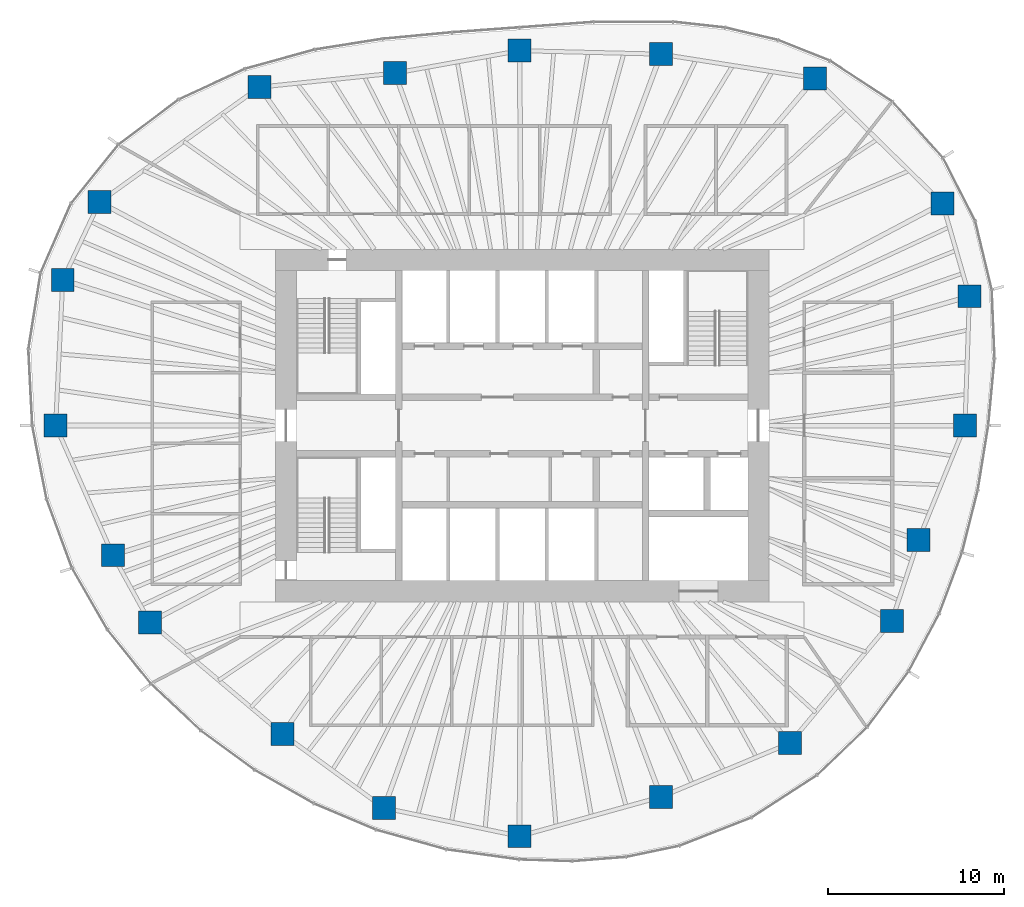
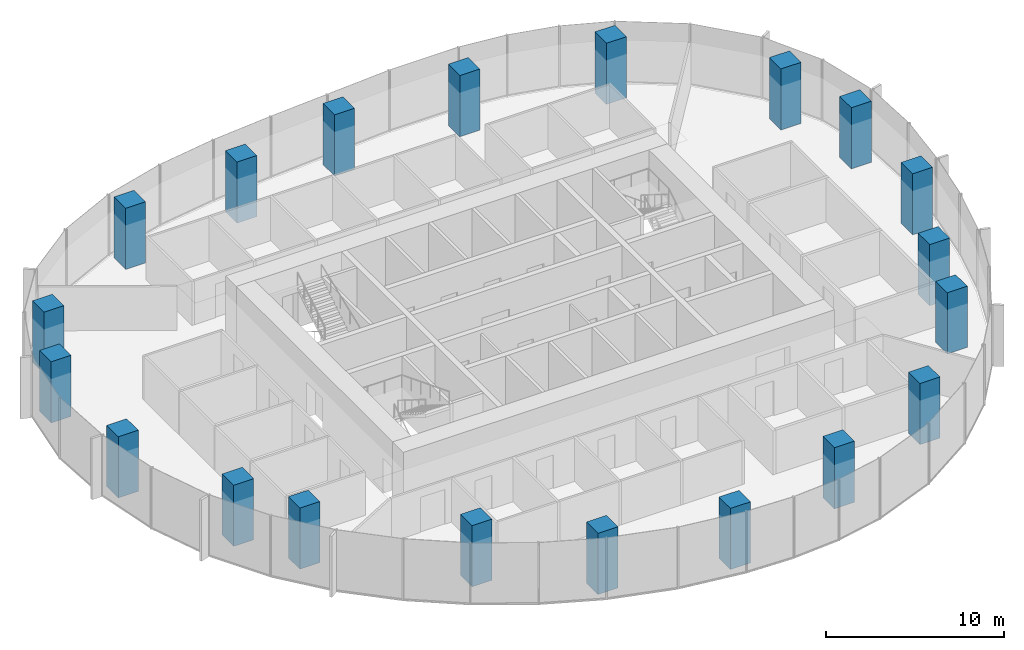
# One storey, part 1 of 12: 20 columns.
"""IFC4 building model written with IfcOpenShell, lengths in metres."""

from ifc_helpers import new_model, si_unit, direction, frame, origin, origin_2d, place, context, subcontext, project, spatial, rectangle, extrude, material, material_profile, profile_set, type_object, element, save


model = new_model("IFC4")

# Units and contexts
model_context = context("Model", 3, precision=1e-05, world=origin(), true_north=direction((0.0, 1.0)))
body_context = subcontext(model_context, "Body", "Model", "MODEL_VIEW")
ifc_project = project(units=[si_unit("LENGTHUNIT", "METRE"), si_unit("AREAUNIT", "SQUARE_METRE"), si_unit("VOLUMEUNIT", "CUBIC_METRE"), si_unit("PLANEANGLEUNIT", "RADIAN"), si_unit("MASSUNIT", "GRAM", prefix="KILO")], contexts=[model_context])

# Site, building, storey
site_placement = place(None, origin())
site = spatial("IfcSite", under=ifc_project, at=site_placement, CompositionType="ELEMENT")
building_placement = place(site_placement, origin())
building = spatial("IfcBuilding", under=site, at=building_placement, Name="Ghaith Harvest Tower", CompositionType="ELEMENT")
storey_placement = place(building_placement, frame((0.0, 0.0, 203.199951171875)))
storey = spatial("IfcBuildingStorey", under=building, at=storey_placement, Name="L44", CompositionType="ELEMENT", Elevation=203.199951171875)

# Columns
ifc_material = material(Name="Concrete C60/75", Category="concrete")
ifc_material_profile = material_profile(ifc_material, rectangle(XDim=1.300048828125, YDim=1.300048828125, at=origin_2d()), Name="RC1300X1300")
ifc_profile_set = profile_set([ifc_material_profile], Name="Concrete C60/75")
column_type = type_object("IfcColumnType", Name="TC5 RC1300X1300", PredefinedType="COLUMN", material=ifc_profile_set)
for number, where, z_axis, x_axis, name in (
    (1, (25.125, 0.0, 0.0), (0.0, 0.0, 1.0), (1.0, 0.0, 0.0), "Perimeter column C01"),
    (2, (25.3779296875, 7.3349609375, 0.0), (0.0, 0.0, 1.0), (1.0, 0.0, 0.0), "Perimeter column C02"),
    (3, (23.85205078125, 12.60693359375, 0.0), (0.0, 0.0, 1.0), (1.0, 0.0, 0.0), "Perimeter column C03"),
    (4, (16.60791015625, 19.695068359375, 0.0), (0.0, 0.0, 1.0), (1.0, 0.0, 0.0), "Perimeter column C04"),
    (5, (7.8779296875, 21.072021484375, 0.0), (0.0, 0.0, 1.0), (1.0, 0.0, 0.0), "Perimeter column C05"),
    (6, (-0.14599609375, 21.27099609375, 0.0), (0.0, 0.0, 1.0), (1.0, 0.0, 0.0), "Perimeter column C06"),
    (7, (-7.221923828125, 19.9970703125, 0.0), (0.0, 0.0, 1.0), (1.0, 0.0, 0.0), "Perimeter column C07"),
    (8, (-14.910888671875, 19.199951171875, 0.0), (0.0, 0.0, 1.0), (1.0, 0.0, 0.0), "Perimeter column C08"),
    (9, (-23.986083984375, 12.677978515625, 0.0), (0.0, 0.0, 1.0), (1.0, 0.0, 0.0), "Perimeter column C09"),
    (10, (-26.06689453125, 8.260986328125, 0.0), (0.0, 0.0, 1.0), (1.0, 0.0, 0.0), "Perimeter column C10"),
    (11, (-26.47509765625, 0.0, 0.0), (0.0, 0.0, 1.0), (1.0, 0.0, 0.0), "Perimeter column C11"),
    (12, (-23.22412109375, -7.360107421875, 0.0), (0.0, 0.0, 1.0), (1.0, 0.0, 0.0), "Perimeter column C12"),
    (13, (-21.125, -11.166015625, 0.0), (0.0, 0.0, 1.0), (1.0, 0.0, 0.0), "Perimeter column C13"),
    (14, (-13.594970703125, -17.5048828125, 0.0), (0.0, 0.0, 1.0), (1.0, 0.0, 0.0), "Perimeter column C14"),
    (15, (-7.837890625, -21.699951171875, 0.0), (0.0, 0.0, 1.0), (1.0, 0.0, 0.0), "Perimeter column C15"),
    (16, (-0.158935546875, -23.304931640625, 0.0), (0.0, 0.0, 1.0), (1.0, 0.0, 0.0), "Perimeter column C16"),
    (17, (7.8779296875, -21.072021484375, 0.0), (0.0, 0.0, 1.0), (1.0, 0.0, 0.0), "Perimeter column C17"),
    (18, (15.197998046875, -18.02294921875, 0.0), (0.0, 0.0, 1.0), (1.0, 0.0, 0.0), "Perimeter column C18"),
    (19, (20.97705078125, -11.087890625, 0.0), (0.0, 0.0, 1.0), (1.0, 0.0, 0.0), "Perimeter column C19"),
    (20, (22.485107421875, -6.4990234375, 0.0), (0.0, 0.0, 1.0), (1.0, 0.0, 0.0), "Perimeter column C20"),
):
    element("IfcColumn", number, at=place(storey_placement, frame(where, z_axis=z_axis, x_axis=x_axis)), inside=storey, type_object=column_type, Name=name, PredefinedType="COLUMN", context=body_context, shape_type="SweptSolid", body=[
        extrude(rectangle(XDim=1.300048828125, YDim=1.300048828125, at=origin_2d()), origin(), (0.0, 0.0, 1.0), 4.199951171875),
    ])

save(model, "model.ifc")
